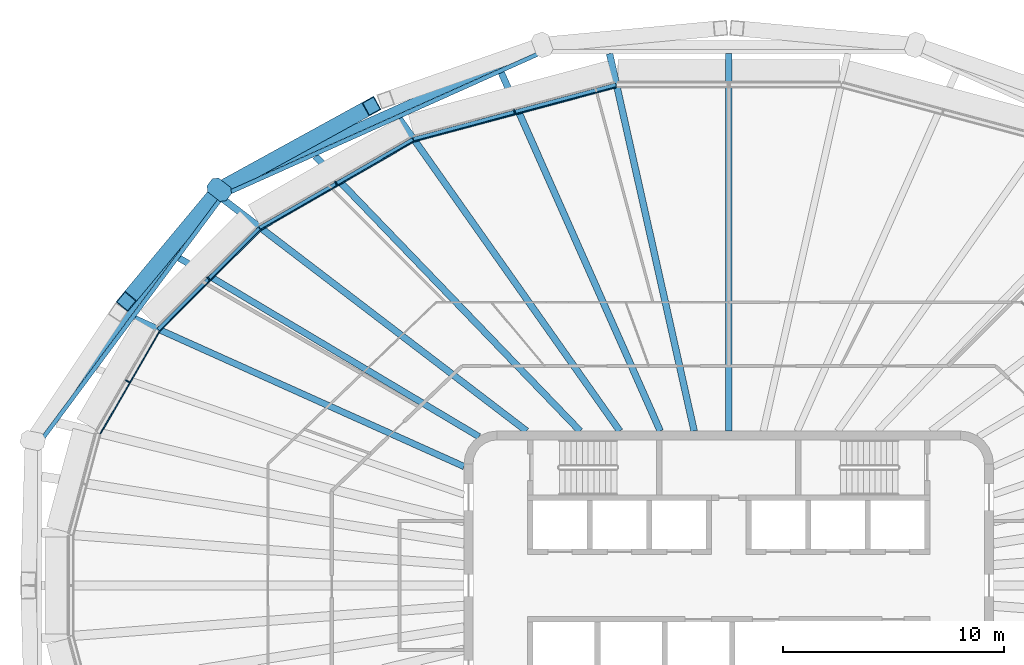
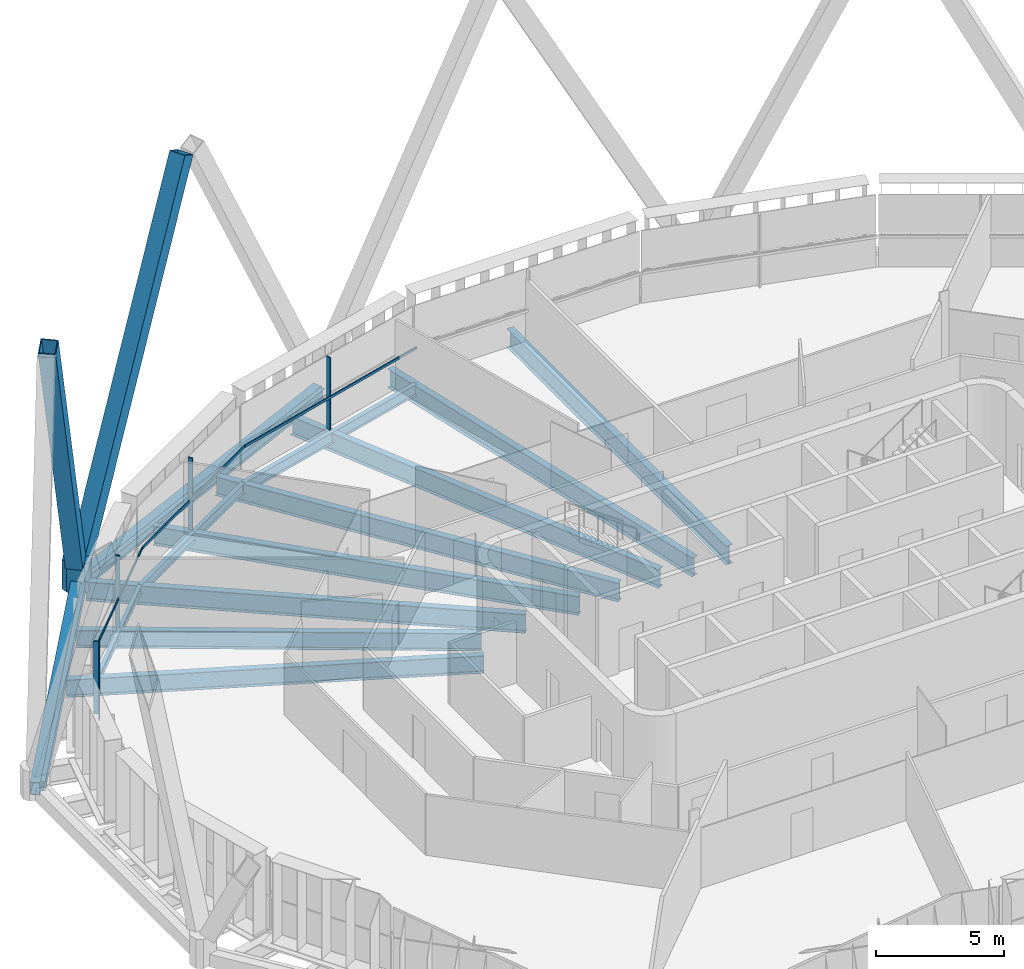
# One storey, part 6 of 20: 15 beams, 11 members, 4 elements without a shape of their own.
"""IFC4 building model written with IfcOpenShell, lengths in metres."""

from ifc_helpers import new_model, si_unit, direction, frame, origin, origin_2d, place, context, subcontext, project, spatial, polyline, rectangle, hollow_rectangle, i_section, outline, extrude, material, layer, layer_set, material_profile, profile_set, type_object, element, aggregate, save


model = new_model("IFC4")

# Units and contexts
model_context = context("Model", 3, precision=1e-05, world=origin(), true_north=direction((0.0, 1.0)))
body_context = subcontext(model_context, "Body", "Model", "MODEL_VIEW")
ifc_project = project(units=[si_unit("LENGTHUNIT", "METRE"), si_unit("AREAUNIT", "SQUARE_METRE"), si_unit("VOLUMEUNIT", "CUBIC_METRE"), si_unit("PLANEANGLEUNIT", "RADIAN"), si_unit("MASSUNIT", "GRAM", prefix="KILO")], contexts=[model_context])

# Site, building, storey
site_placement = place(None, origin())
site = spatial("IfcSite", under=ifc_project, at=site_placement, CompositionType="ELEMENT")
building_placement = place(site_placement, origin())
building = spatial("IfcBuilding", under=site, at=building_placement, Name="Sahrelin Media Tower", CompositionType="ELEMENT")
storey_placement = place(building_placement, frame((0.0, 0.0, 267.0)))
storey = spatial("IfcBuildingStorey", under=building, at=storey_placement, Name="L58", CompositionType="ELEMENT", Elevation=267.0)

# Members
ifc_material_1 = material(Name="Steel S460", Category="steel")
ifc_material_profile_1 = material_profile(ifc_material_1, hollow_rectangle(XDim=0.699951171875, YDim=0.699951171875, WallThickness=0.0400390625, at=origin_2d()), Name="Diagrid diagonal DG7")
ifc_profile_set_1 = profile_set([ifc_material_profile_1], Name="Steel S460")
member_type_1 = type_object("IfcMemberType", Name="Diagrid diagonal DG7", PredefinedType="BRACE", material=ifc_profile_set_1)
member_1_placement = place(storey_placement, frame((-22.781005859375, 18.11279296875, 0.699951171875), z_axis=(0.401082737741, 0.220220071499, 0.889177011396), x_axis=(-0.481288676919, 0.876562153797, 0.0)))
element("IfcMember", 1, at=member_1_placement, inside=storey, type_object=member_type_1, Name="Diagrid diagonal D13-08", PredefinedType="BRACE", context=body_context, shape_type="SweptSolid", body=[
    extrude(hollow_rectangle(XDim=0.699951171875, YDim=0.699951171875, WallThickness=0.0400390625, at=origin_2d()), origin(), (0.0, 0.0, 1.0), 16.419677734375),
])
member_2_placement = place(storey_placement, frame((-23.28955078125, 17.7080078125, 0.699951171875), z_axis=(-0.253020215996, -0.303919147392, 0.918484579155), x_axis=(0.768526802736, -0.639817593909, 0.0)))
element("IfcMember", 2, at=member_2_placement, inside=storey, type_object=member_type_1, Name="Diagrid diagonal D13-09", PredefinedType="BRACE", context=body_context, shape_type="SweptSolid", body=[
    extrude(hollow_rectangle(XDim=0.699951171875, YDim=0.699951171875, WallThickness=0.0400390625, at=origin_2d()), origin(), (0.0, 0.0, 1.0), 15.895751953125),
])
ifc_material_profile_2 = material_profile(ifc_material_1, outline(polyline([(0.35009765625, -0.39990234375), (0.550048828125, -0.199951171875), (0.550048828125, 0.199951171875), (0.35009765625, 0.39990234375), (-0.35009765625, 0.39990234375), (-0.550048828125, 0.199951171875), (-0.550048828125, -0.199951171875), (-0.35009765625, -0.39990234375), (0.35009765625, -0.39990234375)])), Name="Diagrid node block 1100")
ifc_profile_set_2 = profile_set([ifc_material_profile_2], Name="Steel S460")
member_type_2 = type_object("IfcMemberType", Name="Diagrid node block 1100", PredefinedType="USERDEFINED", material=ifc_profile_set_2)
member_3_placement = place(storey_placement, frame((-23.0966796875, 17.939453125, -0.699951171875), z_axis=(0.0, 0.0, 1.0), x_axis=(-0.789760120156, 0.613415807272, 0.0)))
element("IfcMember", 3, at=member_3_placement, inside=storey, type_object=member_type_2, Name="Diagrid node N13-04", ObjectType="NODE", PredefinedType="USERDEFINED", context=body_context, shape_type="SweptSolid", body=[
    extrude(outline(polyline([(0.35009765625, -0.39990234375), (0.550048828125, -0.199951171875), (0.550048828125, 0.199951171875), (0.35009765625, 0.39990234375), (-0.35009765625, 0.39990234375), (-0.550048828125, 0.199951171875), (-0.550048828125, -0.199951171875), (-0.35009765625, -0.39990234375), (0.35009765625, -0.39990234375)])), origin(), (0.0, 0.0, 1.0), 1.39990234375),
])

# Beams
ifc_material_profile_3 = material_profile(ifc_material_1, hollow_rectangle(XDim=0.39990234375, YDim=0.60009765625, WallThickness=0.030029296875, at=origin_2d()), Name="Diagrid ring beam RB1")
ifc_profile_set_3 = profile_set([ifc_material_profile_3], Name="Steel S460")
beam_type_1 = type_object("IfcBeamType", Name="Diagrid ring beam RB1", PredefinedType="BEAM", material=ifc_profile_set_3)
beam_1_placement = place(storey_placement, frame((-8.4541015625, 24.505859375, -0.449951171875), z_axis=(-0.912451353014, -0.409185200591, 0.0), x_axis=(0.409185200591, -0.912451353014, 0.0)))
element("IfcBeam", 4, at=beam_1_placement, inside=storey, type_object=beam_type_1, Name="Diagrid ring beam RB13-03", PredefinedType="BEAM", context=body_context, shape_type="SweptSolid", body=[
    extrude(hollow_rectangle(XDim=0.39990234375, YDim=0.60009765625, WallThickness=0.030029296875, at=origin_2d()), origin(), (0.0, 0.0, 1.0), 16.047607421875),
])
beam_2_placement = place(storey_placement, frame((-23.0966796875, 17.939453125, -0.449951171875), z_axis=(-0.596565361307, -0.802564495657, 0.0), x_axis=(0.802564495657, -0.596565361307, 0.0)))
element("IfcBeam", 5, at=beam_2_placement, inside=storey, type_object=beam_type_1, Name="Diagrid ring beam RB13-04", PredefinedType="BEAM", context=body_context, shape_type="SweptSolid", body=[
    extrude(hollow_rectangle(XDim=0.39990234375, YDim=0.60009765625, WallThickness=0.030029296875, at=origin_2d()), origin(), (0.0, 0.0, 1.0), 14.1708984375),
])
ifc_material_2 = material(Name="Steel S355", Category="steel")
ifc_material_profile_4 = material_profile(ifc_material_2, i_section(OverallWidth=0.17138671875, OverallDepth=0.35498046875, WebThickness=0.00732421875, FlangeThickness=0.011474609375, FilletRadius=0.01025390625, at=origin_2d()), Name="UB 356x171x51")
ifc_profile_set_4 = profile_set([ifc_material_profile_4], Name="Steel S355")
beam_type_2 = type_object("IfcBeamType", Name="Edge beam EB3", PredefinedType="BEAM", material=ifc_profile_set_4)
beam_3_placement = place(storey_placement, frame((-25.864990234375, 11.5947265625, -0.327392578125), z_axis=(0.707087970402, 0.70712559147, 0.0), x_axis=(-0.70712559147, 0.707087970402, 0.0)))
element("IfcBeam", 6, at=beam_3_placement, inside=storey, type_object=beam_type_2, Name="Edge beam L58-13", PredefinedType="BEAM", context=body_context, shape_type="SweptSolid", body=[
    extrude(i_section(OverallWidth=0.17138671875, OverallDepth=0.35498046875, WebThickness=0.00732421875, FlangeThickness=0.011474609375, FilletRadius=0.01025390625, at=origin_2d()), origin(), (0.0, 0.0, 1.0), 6.489501953125),
])
ifc_material_profile_5 = material_profile(ifc_material_2, i_section(OverallWidth=0.1904296875, OverallDepth=0.45703125, WebThickness=0.009033203125, FlangeThickness=0.014404296875, FilletRadius=0.01025390625, at=origin_2d()), Name="UB 457x191x74")
ifc_profile_set_5 = profile_set([ifc_material_profile_5], Name="Steel S355")
beam_type_3 = type_object("IfcBeamType", Name="Edge beam EB5", PredefinedType="BEAM", material=ifc_profile_set_5)
beam_4_placement = place(storey_placement, frame((-21.25341796875, 16.200927734375, -0.37841796875), z_axis=(0.866022619654, 0.500004822225, 0.0), x_axis=(-0.500004822225, 0.866022619654, 0.0)))
element("IfcBeam", 7, at=beam_4_placement, inside=storey, type_object=beam_type_3, Name="Edge beam L58-14", PredefinedType="BEAM", context=body_context, shape_type="SweptSolid", body=[
    extrude(i_section(OverallWidth=0.1904296875, OverallDepth=0.45703125, WebThickness=0.009033203125, FlangeThickness=0.014404296875, FilletRadius=0.01025390625, at=origin_2d()), origin(), (0.0, 0.0, 1.0), 8.00830078125),
])
ifc_material_profile_6 = material_profile(ifc_material_2, i_section(OverallWidth=0.208740234375, OverallDepth=0.5283203125, WebThickness=0.009521484375, FlangeThickness=0.01318359375, FilletRadius=0.0126953125, at=origin_2d()), Name="UB 533x210x82")
ifc_profile_set_6 = profile_set([ifc_material_profile_6], Name="Steel S355")
beam_type_4 = type_object("IfcBeamType", Name="Edge beam EB6", PredefinedType="BEAM", material=ifc_profile_set_6)
beam_5_placement = place(storey_placement, frame((-14.29150390625, 20.21630859375, -0.4140625), z_axis=(0.965929019762, 0.258807126605, 0.0), x_axis=(-0.258807126605, 0.965929019762, 0.0)))
element("IfcBeam", 8, at=beam_5_placement, inside=storey, type_object=beam_type_4, Name="Edge beam L58-15", PredefinedType="BEAM", context=body_context, shape_type="SweptSolid", body=[
    extrude(i_section(OverallWidth=0.208740234375, OverallDepth=0.5283203125, WebThickness=0.009521484375, FlangeThickness=0.01318359375, FilletRadius=0.0126953125, at=origin_2d()), origin(), (0.0, 0.0, 1.0), 9.5048828125),
])

# Curtain wall, member
ifc_material_3 = material(Name="Champagne anodised aluminium 6063-T6", Category="aluminium")
ifc_layer = layer(ifc_material_3, 0.14990234375)
ifc_layer_set = layer_set([ifc_layer], Name="Tower ribbon curtain wall")
curtain_wall_type = type_object("IfcCurtainWallType", Name="Tower ribbon curtain wall", PredefinedType="NOTDEFINED", material=ifc_layer_set)
curtain_wall_1_placement = place(storey_placement, frame((-9.73974609375, 21.591064453125, 0.0), z_axis=(0.0, 0.0, 1.0), x_axis=(1.0, 0.0, 0.0)))
curtain_wall_1 = element("IfcCurtainWall", 9, at=curtain_wall_1_placement, inside=storey, type_object=curtain_wall_type, Name="L58:CW:L58-07", PredefinedType="NOTDEFINED")
ifc_material_profile_7 = material_profile(ifc_material_3, rectangle(XDim=0.06005859375, YDim=0.199951171875, at=origin_2d()), Name="Mullion 60x200")
ifc_profile_set_7 = profile_set([ifc_material_profile_7], Name="Champagne anodised aluminium 6063-T6")
member_type_3 = type_object("IfcMemberType", Name="Mullion 60x200 CW1C", PredefinedType="MULLION", material=ifc_profile_set_7)
member_4_placement = place(storey_placement, frame((-9.708740234375, 21.47509765625, 0.0), z_axis=(0.0, 0.0, 1.0), x_axis=(-0.965924922834, -0.258822416818, 0.0)))
member_4 = element("IfcMember", 10, at=member_4_placement, type_object=member_type_3, Name="L58:CWM:L58-07", PredefinedType="MULLION", context=body_context, shape_type="SweptSolid", body=[
    extrude(rectangle(XDim=0.06005859375, YDim=0.199951171875, at=origin_2d()), origin(), (0.0, 0.0, 1.0), 3.448486328125),
])

curtain_wall_2_placement = place(storey_placement, frame((-17.86083984375, 18.3330078125, 0.0), z_axis=(0.0, 0.0, 1.0), x_axis=(1.0, 0.0, 0.0)))
curtain_wall_2 = element("IfcCurtainWall", 11, at=curtain_wall_2_placement, inside=storey, type_object=curtain_wall_type, Name="L58:CW:L58-08", PredefinedType="NOTDEFINED")
member_5_placement = place(storey_placement, frame((-17.80078125, 18.22900390625, 0.0), z_axis=(0.0, 0.0, 1.0), x_axis=(-0.866025403784, -0.5, 0.0)))
member_5 = element("IfcMember", 12, at=member_5_placement, type_object=member_type_3, Name="L58:CWM:L58-08", PredefinedType="MULLION", context=body_context, shape_type="SweptSolid", body=[
    extrude(rectangle(XDim=0.06005859375, YDim=0.199951171875, at=origin_2d()), origin(), (0.0, 0.0, 1.0), 3.448486328125),
])

curtain_wall_3_placement = place(storey_placement, frame((-23.6767578125, 13.9951171875, 0.0), z_axis=(0.0, 0.0, 1.0), x_axis=(1.0, 0.0, 0.0)))
curtain_wall_3 = element("IfcCurtainWall", 13, at=curtain_wall_3_placement, inside=storey, type_object=curtain_wall_type, Name="L58:CW:L58-09", PredefinedType="NOTDEFINED")
member_6_placement = place(storey_placement, frame((-23.591796875, 13.910400390625, 0.0), z_axis=(0.0, 0.0, 1.0), x_axis=(-0.707106781187, -0.707106781187, 0.0)))
member_6 = element("IfcMember", 14, at=member_6_placement, type_object=member_type_3, Name="L58:CWM:L58-09", PredefinedType="MULLION", context=body_context, shape_type="SweptSolid", body=[
    extrude(rectangle(XDim=0.06005859375, YDim=0.199951171875, at=origin_2d()), origin(), (0.0, 0.0, 1.0), 3.448486328125),
])

curtain_wall_4_placement = place(storey_placement, frame((-27.357666015625, 9.317138671875, 0.0), z_axis=(0.0, 0.0, 1.0), x_axis=(1.0, 0.0, 0.0)))
curtain_wall_4 = element("IfcCurtainWall", 15, at=curtain_wall_4_placement, inside=storey, type_object=curtain_wall_type, Name="L58:CW:L58-10", PredefinedType="NOTDEFINED")
member_7_placement = place(storey_placement, frame((-27.253662109375, 9.257080078125, 0.0), z_axis=(0.0, 0.0, 1.0), x_axis=(-0.500007557478, -0.866021040428, 0.0)))
member_7 = element("IfcMember", 16, at=member_7_placement, type_object=member_type_3, Name="L58:CWM:L58-10", PredefinedType="MULLION", context=body_context, shape_type="SweptSolid", body=[
    extrude(rectangle(XDim=0.06005859375, YDim=0.199951171875, at=origin_2d()), origin(), (0.0, 0.0, 1.0), 3.448486328125),
])

# Beams
ifc_material_profile_8 = material_profile(ifc_material_2, i_section(OverallWidth=0.291748046875, OverallDepth=0.8349609375, WebThickness=0.013916015625, FlangeThickness=0.018798828125, FilletRadius=0.017822265625, at=origin_2d()), Name="UB 838x292x176")
ifc_profile_set_8 = profile_set([ifc_material_profile_8], Name="Steel S355")
beam_type_5 = type_object("IfcBeamType", Name="Radial primary beam PB10", PredefinedType="BEAM", material=ifc_profile_set_8)
beam_6_placement = place(storey_placement, frame((-12.0, 5.39013671875, -0.5673828125), z_axis=(-0.912200990359, 0.409743033116, 0.0), x_axis=(-0.409743033116, -0.912200990359, 0.0)))
element("IfcBeam", 17, at=beam_6_placement, inside=storey, type_object=beam_type_5, Name="Radial beam L58-10", PredefinedType="BEAM", context=body_context, shape_type="SweptSolid", body=[
    extrude(i_section(OverallWidth=0.291748046875, OverallDepth=0.8349609375, WebThickness=0.013916015625, FlangeThickness=0.018798828125, FilletRadius=0.017822265625, at=origin_2d()), origin(), (0.0, 0.0, 1.0), 16.38134765625),
])
ifc_material_profile_9 = material_profile(ifc_material_2, i_section(OverallWidth=0.30322265625, OverallDepth=0.903076171875, WebThickness=0.01513671875, FlangeThickness=0.020263671875, FilletRadius=0.01904296875, at=origin_2d()), Name="UB 914x305x201")
ifc_profile_set_9 = profile_set([ifc_material_profile_9], Name="Steel S355")
beam_type_6 = type_object("IfcBeamType", Name="Radial primary beam PB11", PredefinedType="BEAM", material=ifc_profile_set_9)
beam_7_placement = place(storey_placement, frame((-1.568603515625, 7.0, -0.6015625), z_axis=(-0.218665284785, 0.975799924795, 0.0), x_axis=(-0.975799924795, -0.218665284785, 0.0)))
element("IfcBeam", 18, at=beam_7_placement, inside=storey, type_object=beam_type_6, Name="Radial beam L58-07", PredefinedType="BEAM", context=body_context, shape_type="SweptSolid", body=[
    extrude(i_section(OverallWidth=0.30322265625, OverallDepth=0.903076171875, WebThickness=0.01513671875, FlangeThickness=0.020263671875, FilletRadius=0.01904296875, at=origin_2d()), origin(), (0.0, 0.0, 1.0), 17.53466796875),
])
beam_8_placement = place(storey_placement, frame((-4.940185546875, 7.0, -0.6015625), z_axis=(-0.576608007265, 0.817020933611, 0.0), x_axis=(-0.817020933611, -0.576608007265, 0.0)))
element("IfcBeam", 19, at=beam_8_placement, inside=storey, type_object=beam_type_6, Name="Radial beam L58-08", PredefinedType="BEAM", context=body_context, shape_type="SweptSolid", body=[
    extrude(i_section(OverallWidth=0.30322265625, OverallDepth=0.903076171875, WebThickness=0.01513671875, FlangeThickness=0.020263671875, FilletRadius=0.01904296875, at=origin_2d()), origin(), (0.0, 0.0, 1.0), 17.337646484375),
])
beam_9_placement = place(storey_placement, frame((-9.16455078125, 7.0, -0.6015625), z_axis=(-0.794694720447, 0.607009309067, 0.0), x_axis=(-0.607009309067, -0.794694720447, 0.0)))
element("IfcBeam", 20, at=beam_9_placement, inside=storey, type_object=beam_type_6, Name="Radial beam L58-09", PredefinedType="BEAM", context=body_context, shape_type="SweptSolid", body=[
    extrude(i_section(OverallWidth=0.30322265625, OverallDepth=0.903076171875, WebThickness=0.01513671875, FlangeThickness=0.020263671875, FilletRadius=0.01904296875, at=origin_2d()), origin(), (0.0, 0.0, 1.0), 17.313720703125),
])
ifc_material_profile_10 = material_profile(ifc_material_2, i_section(OverallWidth=0.291748046875, OverallDepth=0.8349609375, WebThickness=0.013916015625, FlangeThickness=0.018798828125, FilletRadius=0.017822265625, at=origin_2d()), Name="UB 838x292x176")
ifc_profile_set_10 = profile_set([ifc_material_profile_10], Name="Steel S355")
beam_type_7 = type_object("IfcBeamType", Name="Radial secondary beam SB10", PredefinedType="BEAM", material=ifc_profile_set_10)
beam_10_placement = place(storey_placement, frame((-11.32177734375, 6.743896484375, -0.5673828125), z_axis=(-0.859123060499, 0.511769056234, 0.0), x_axis=(-0.511769056234, -0.859123060499, 0.0)))
element("IfcBeam", 21, at=beam_10_placement, inside=storey, type_object=beam_type_7, Name="Secondary beam L58-09", PredefinedType="BEAM", context=body_context, shape_type="SweptSolid", body=[
    extrude(i_section(OverallWidth=0.291748046875, OverallDepth=0.8349609375, WebThickness=0.013916015625, FlangeThickness=0.018798828125, FilletRadius=0.017822265625, at=origin_2d()), origin(), (0.0, 0.0, 1.0), 15.815673828125),
])
ifc_material_profile_11 = material_profile(ifc_material_2, i_section(OverallWidth=0.30322265625, OverallDepth=0.903076171875, WebThickness=0.01513671875, FlangeThickness=0.020263671875, FilletRadius=0.01904296875, at=origin_2d()), Name="UB 914x305x201")
ifc_profile_set_11 = profile_set([ifc_material_profile_11], Name="Steel S355")
beam_type_8 = type_object("IfcBeamType", Name="Radial secondary beam SB11", PredefinedType="BEAM", material=ifc_profile_set_11)
beam_11_placement = place(storey_placement, frame((0.0, 7.0, -0.6015625), z_axis=(0.0, 1.0, 0.0), x_axis=(-1.0, 0.0, 0.0)))
element("IfcBeam", 22, at=beam_11_placement, inside=storey, type_object=beam_type_8, Name="Secondary beam L58-06", PredefinedType="BEAM", context=body_context, shape_type="SweptSolid", body=[
    extrude(i_section(OverallWidth=0.30322265625, OverallDepth=0.903076171875, WebThickness=0.01513671875, FlangeThickness=0.020263671875, FilletRadius=0.01904296875, at=origin_2d()), origin(), (0.0, 0.0, 1.0), 17.1103515625),
])
beam_12_placement = place(storey_placement, frame((-3.10498046875, 7.0, -0.6015625), z_axis=(-0.40548556811, 0.91410144626, 0.0), x_axis=(-0.91410144626, -0.40548556811, 0.0)))
element("IfcBeam", 23, at=beam_12_placement, inside=storey, type_object=beam_type_8, Name="Secondary beam L58-07", PredefinedType="BEAM", context=body_context, shape_type="SweptSolid", body=[
    extrude(i_section(OverallWidth=0.30322265625, OverallDepth=0.903076171875, WebThickness=0.01513671875, FlangeThickness=0.020263671875, FilletRadius=0.01904296875, at=origin_2d()), origin(), (0.0, 0.0, 1.0), 17.7666015625),
])
beam_13_placement = place(storey_placement, frame((-6.740966796875, 7.0, -0.6015625), z_axis=(-0.693643314436, 0.720318646391, 0.0), x_axis=(-0.720318646391, -0.693643314436, 0.0)))
element("IfcBeam", 24, at=beam_13_placement, inside=storey, type_object=beam_type_8, Name="Secondary beam L58-08", PredefinedType="BEAM", context=body_context, shape_type="SweptSolid", body=[
    extrude(i_section(OverallWidth=0.30322265625, OverallDepth=0.903076171875, WebThickness=0.01513671875, FlangeThickness=0.020263671875, FilletRadius=0.01904296875, at=origin_2d()), origin(), (0.0, 0.0, 1.0), 17.2978515625),
])
ifc_material_profile_12 = material_profile(ifc_material_2, i_section(OverallWidth=0.1904296875, OverallDepth=0.45703125, WebThickness=0.009033203125, FlangeThickness=0.014404296875, FilletRadius=0.01025390625, at=origin_2d()), Name="UB 457x191x74")
ifc_profile_set_12 = profile_set([ifc_material_profile_12], Name="Steel S355")
beam_type_9 = type_object("IfcBeamType", Name="Tie chord TC5", PredefinedType="BEAM", material=ifc_profile_set_12)
beam_14_placement = place(storey_placement, frame((-31.25048828125, 6.466796875, -0.37841796875), z_axis=(0.596558144765, 0.802569859835, 0.0), x_axis=(-0.802569859835, 0.596558144765, 0.0)))
element("IfcBeam", 25, at=beam_14_placement, inside=storey, type_object=beam_type_9, Name="Tie chord L58-08", PredefinedType="BEAM", context=body_context, shape_type="SweptSolid", body=[
    extrude(i_section(OverallWidth=0.1904296875, OverallDepth=0.45703125, WebThickness=0.009033203125, FlangeThickness=0.014404296875, FilletRadius=0.01025390625, at=origin_2d()), origin(), (0.0, 0.0, 1.0), 13.993408203125),
])
beam_15_placement = place(storey_placement, frame((-22.902587890625, 17.697509765625, -0.37841796875), z_axis=(0.91245379845, 0.409179747414, 0.0), x_axis=(-0.409179747414, 0.91245379845, 0.0)))
element("IfcBeam", 26, at=beam_15_placement, inside=storey, type_object=beam_type_9, Name="Tie chord L58-09", PredefinedType="BEAM", context=body_context, shape_type="SweptSolid", body=[
    extrude(i_section(OverallWidth=0.1904296875, OverallDepth=0.45703125, WebThickness=0.009033203125, FlangeThickness=0.014404296875, FilletRadius=0.01025390625, at=origin_2d()), origin(), (0.0, 0.0, 1.0), 15.905029296875),
])

# Member
ifc_material_profile_13 = material_profile(ifc_material_3, rectangle(XDim=0.050048828125, YDim=0.1201171875, at=origin_2d()), Name="Transom 50x120")
ifc_profile_set_13 = profile_set([ifc_material_profile_13], Name="Champagne anodised aluminium 6063-T6")
member_type_4 = type_object("IfcMemberType", Name="Transom 50x120 CW1C", PredefinedType="USERDEFINED", material=ifc_profile_set_13)
member_8_placement = place(storey_placement, frame((-5.100830078125, 22.58056640625, 1.60009765625), z_axis=(-0.965921133563, -0.258836557961, 0.0), x_axis=(0.258836557961, -0.965921133563, 0.0)))
member_8 = element("IfcMember", 27, at=member_8_placement, type_object=member_type_4, Name="L58:CWT:L58-07", ObjectType="TRANSOM", PredefinedType="USERDEFINED", context=body_context, shape_type="SweptSolid", body=[
    extrude(rectangle(XDim=0.050048828125, YDim=0.1201171875, at=origin_2d()), origin(), (0.0, 0.0, 1.0), 9.4736328125),
])

aggregate(curtain_wall_1, [member_4, member_8])

member_9_placement = place(storey_placement, frame((-14.2841796875, 20.114990234375, 1.60009765625), z_axis=(-0.866034723298, -0.499983857782, 0.0), x_axis=(0.499983857782, -0.866034723298, 0.0)))
member_9 = element("IfcMember", 28, at=member_9_placement, type_object=member_type_4, Name="L58:CWT:L58-08", ObjectType="TRANSOM", PredefinedType="USERDEFINED", context=body_context, shape_type="SweptSolid", body=[
    extrude(rectangle(XDim=0.050048828125, YDim=0.1201171875, at=origin_2d()), origin(), (0.0, 0.0, 1.0), 7.976806640625),
])

aggregate(curtain_wall_2, [member_5, member_9])

member_10_placement = place(storey_placement, frame((-21.22021484375, 16.105224609375, 1.60009765625), z_axis=(-0.707125682984, -0.707087878884, 0.0), x_axis=(0.707087878884, -0.707125682984, 0.0)))
member_10 = element("IfcMember", 29, at=member_10_placement, type_object=member_type_4, Name="L58:CWT:L58-09", ObjectType="TRANSOM", PredefinedType="USERDEFINED", context=body_context, shape_type="SweptSolid", body=[
    extrude(rectangle(XDim=0.050048828125, YDim=0.1201171875, at=origin_2d()), origin(), (0.0, 0.0, 1.0), 6.4580078125),
])

aggregate(curtain_wall_3, [member_6, member_10])

member_11_placement = place(storey_placement, frame((-25.80810546875, 11.5107421875, 1.60009765625), z_axis=(-0.500031950903, -0.866006956136, 0.0), x_axis=(0.866006956136, -0.500031950903, 0.0)))
member_11 = element("IfcMember", 30, at=member_11_placement, type_object=member_type_4, Name="L58:CWT:L58-10", ObjectType="TRANSOM", PredefinedType="USERDEFINED", context=body_context, shape_type="SweptSolid", body=[
    extrude(rectangle(XDim=0.050048828125, YDim=0.1201171875, at=origin_2d()), origin(), (0.0, 0.0, 1.0), 5.348876953125),
])

aggregate(curtain_wall_4, [member_7, member_11])

save(model, "model.ifc")
